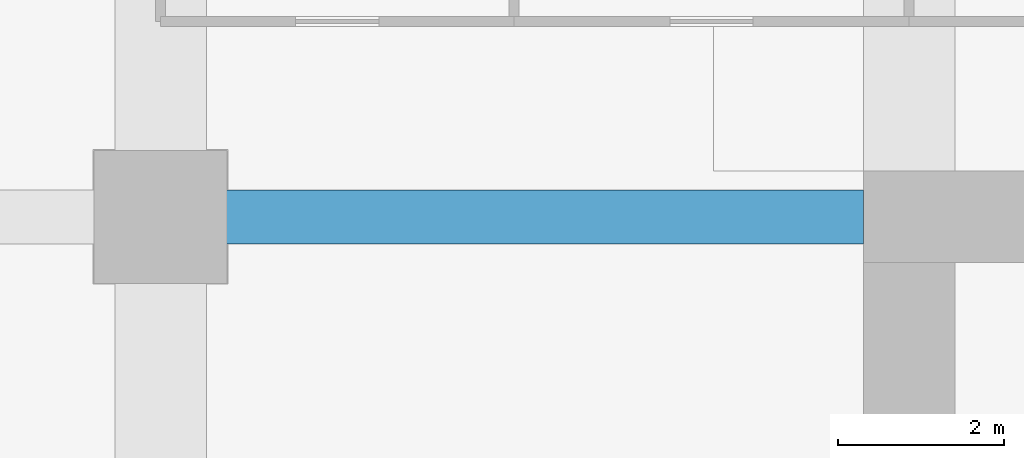
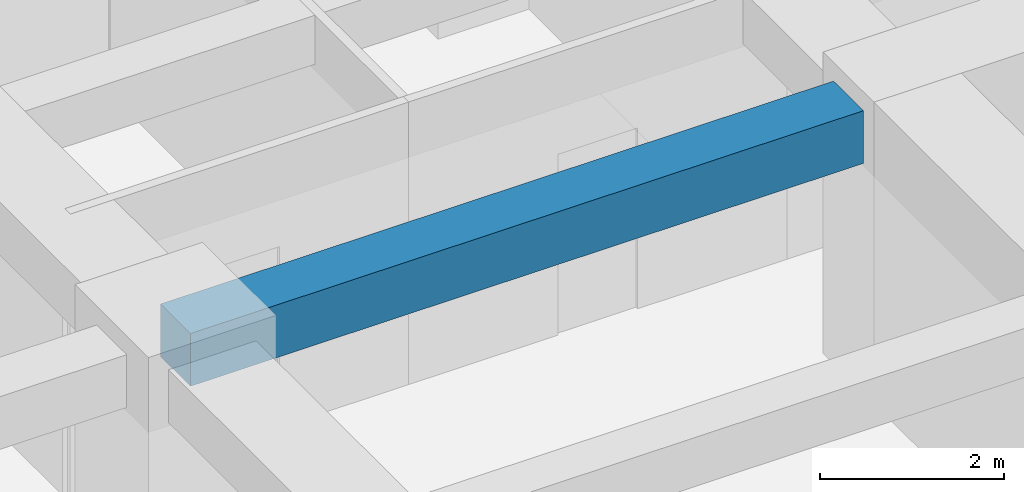
# One storey, part 21 of 34: 1 beam.
"""IFC4 building model written with IfcOpenShell, lengths in metres."""

import ifcopenshell
import ifcopenshell.guid

model = None  # the IFC model being written
_history = None  # IfcOwnerHistory: only IFC2X3 demands one
_inside = {}  # id of a spatial element -> (the spatial element, [elements in it])
_under = {}  # id of a project, library or spatial element -> (it, [spatial elements below it])
_declared = {}  # id of a project -> (the project, [libraries it declares])
_typed = {}  # id of a type object -> (the type object, [elements of that type])
_made_of = {}  # id of a material, layer set ... -> (it, [elements and type objects made of it])


def new_model(schema):
    """Start an empty IFC model of exactly this schema.

    Asked for "IFC4X3", IfcOpenShell would pick the latest addendum, in which some entities
    have other attributes; the version numbers below select the first issue.
    IFC2X3 requires an IfcOwnerHistory on every rooted entity: one is made here for all.
    """
    global model, _history
    if schema == "IFC4X3":
        model = ifcopenshell.file(schema_version=(4, 3, 0, 0))
    else:
        model = ifcopenshell.file(schema=schema)
    _inside.clear()
    _under.clear()
    _declared.clear()
    _typed.clear()
    _made_of.clear()
    _history = None
    if model.schema == "IFC2X3":
        org = make("IfcOrganization", Name="unknown")
        user = make(
            "IfcPersonAndOrganization",
            ThePerson=make("IfcPerson", FamilyName="unknown"),
            TheOrganization=org,
        )
        app = make(
            "IfcApplication",
            ApplicationDeveloper=org,
            Version="unknown",
            ApplicationFullName="unknown",
            ApplicationIdentifier="unknown",
        )
        _history = make(
            "IfcOwnerHistory",
            OwningUser=user,
            OwningApplication=app,
            ChangeAction="ADDED",
            CreationDate=0,
        )
    return model


def make(cls, **values):
    """One entity of the class cls with the attributes given. An attribute that is None is left unset."""
    return model.create_entity(
        cls, **{name: value for name, value in values.items() if value is not None}
    )


def rooted(cls, **values):
    """An entity with a GlobalId (a new one), such as an element, a storey or a relation."""
    return make(cls, GlobalId=ifcopenshell.guid.new(), OwnerHistory=_history, **values)


def si_unit(unit_type, name, prefix=None):
    """IfcSIUnit, for example si_unit("LENGTHUNIT", "METRE", prefix="MILLI")."""
    return make("IfcSIUnit", UnitType=unit_type, Prefix=prefix, Name=name)


def assignment(units):
    """IfcUnitAssignment: the units of a project."""
    return None if units is None else make("IfcUnitAssignment", Units=units)


def point(xyz):
    """IfcCartesianPoint."""
    return None if xyz is None else make("IfcCartesianPoint", Coordinates=xyz)


def direction(xyz):
    """IfcDirection."""
    return None if xyz is None else make("IfcDirection", DirectionRatios=xyz)


def frame(location, z_axis=None, x_axis=None):
    """IfcAxis2Placement3D, a coordinate frame: its origin and axes. An axis left out is left unset."""
    return make(
        "IfcAxis2Placement3D",
        Location=point(location),
        Axis=direction(z_axis),
        RefDirection=direction(x_axis),
    )


def frame_2d(location, x_axis=None):
    """IfcAxis2Placement2D, a coordinate frame in the plane: its origin and x axis."""
    return make(
        "IfcAxis2Placement2D", Location=point(location), RefDirection=direction(x_axis)
    )


def origin():
    """The frame at (0, 0, 0) with its axes left unset."""
    return frame((0.0, 0.0, 0.0))


def origin_2d():
    """The frame at (0, 0) in the plane with its x axis left unset."""
    return frame_2d((0.0, 0.0))


def place(relative_to, where):
    """IfcLocalPlacement: puts the frame where relative to a parent placement (None: the world)."""
    return make(
        "IfcLocalPlacement", PlacementRelTo=relative_to, RelativePlacement=where
    )


def context(
    kind, dimensions, precision=None, world=None, true_north=None, identifier=None
):
    """IfcGeometricRepresentationContext, for example the 3D "Model" context."""
    return make(
        "IfcGeometricRepresentationContext",
        ContextIdentifier=identifier,
        ContextType=kind,
        CoordinateSpaceDimension=dimensions,
        Precision=precision,
        WorldCoordinateSystem=world,
        TrueNorth=true_north,
    )


def subcontext(parent, identifier, kind, view, scale=None):
    """IfcGeometricRepresentationSubContext, for example "Body" below "Model"."""
    return make(
        "IfcGeometricRepresentationSubContext",
        ContextIdentifier=identifier,
        ContextType=kind,
        ParentContext=parent,
        TargetScale=scale,
        TargetView=view,
    )


def project(units=None, contexts=None):
    """IfcProject with its units and contexts."""
    return rooted(
        "IfcProject",
        Name="project",
        RepresentationContexts=contexts,
        UnitsInContext=assignment(units),
    )


def spatial(cls, under=None, at=None, **own):
    """A site, building, storey or space (cls), placed at a placement, below another one or the project."""
    s = rooted(cls, ObjectPlacement=at, **own)
    if under is not None:
        _under.setdefault(under.id(), (under, []))[1].append(s)
    return s


def profile(cls, at=None, kind="AREA", **sizes):
    """A parametric profile (cls). Its sizes go by their IFC names, for example OverallWidth=200.0."""
    return make(cls, ProfileType=kind, Position=at, **sizes)


def rectangle(**sizes):
    """IfcRectangleProfileDef."""
    return profile("IfcRectangleProfileDef", **sizes)


def extrude(swept, where, along, depth):
    """IfcExtrudedAreaSolid: the profile swept, set in the frame where, extruded along a direction by depth."""
    return make(
        "IfcExtrudedAreaSolid",
        SweptArea=swept,
        Position=where,
        ExtrudedDirection=direction(along),
        Depth=depth,
    )


def shape(context_of_items, identifier, shape_type, items):
    """IfcShapeRepresentation: the items that make up one representation, for example the "Body"."""
    return make(
        "IfcShapeRepresentation",
        ContextOfItems=context_of_items,
        RepresentationIdentifier=identifier,
        RepresentationType=shape_type,
        Items=items,
    )


def material(Name=None, Category=None):
    """IfcMaterial."""
    return make("IfcMaterial", Name=Name, Category=Category)


def material_profile(
    of_material, cross_section, Name=None, Category=None, Priority=None
):
    """IfcMaterialProfile: a cross section and its material."""
    return make(
        "IfcMaterialProfile",
        Name=Name,
        Material=of_material,
        Profile=cross_section,
        Priority=Priority,
        Category=Category,
    )


def profile_set(profiles, Name=None, composite=None):
    """IfcMaterialProfileSet."""
    return make(
        "IfcMaterialProfileSet",
        Name=Name,
        MaterialProfiles=profiles,
        CompositeProfile=composite,
    )


def made_of(thing, what):
    """Note that an element or type object is made of a material, layer set ...; save() writes the relation."""
    if what is not None:
        _made_of.setdefault(what.id(), (what, []))[1].append(thing)
    return thing


def type_object(cls, material=None, **own):
    """A type object (cls), such as IfcWallType, which elements share."""
    return made_of(rooted(cls, **own), material)


def element(
    cls,
    number,
    at=None,
    inside=None,
    cuts=None,
    type_object=None,
    material=None,
    context=None,
    identifier="Body",
    shape_type=None,
    held_by="IfcProductDefinitionShape",
    body=None,
    shapes=None,
    **own,
):
    """One element of the class cls, such as IfcWall. Its Tag is "e" and its number.

    at: its placement. inside: the storey or other place that contains it. cuts: it is an
    opening in that element (IfcRelVoidsElement). A single representation is given by context,
    identifier, shape_type and body (its items); several are given by shapes. held_by: the class
    of the entity that holds the representations. save() writes the other relations.
    """
    e = rooted(cls, Tag="e%d" % number, ObjectPlacement=at, **own)
    if body is not None:
        shapes = [shape(context, identifier, shape_type, body)]
    if shapes is not None:
        e.Representation = make(held_by, Representations=shapes)
    if inside is not None:
        _inside.setdefault(inside.id(), (inside, []))[1].append(e)
    if cuts is not None:
        rooted(
            "IfcRelVoidsElement", RelatingBuildingElement=cuts, RelatedOpeningElement=e
        )
    if type_object is not None:
        _typed.setdefault(type_object.id(), (type_object, []))[1].append(e)
    return made_of(e, material)


def aggregate(whole, parts):
    """IfcRelAggregates: a whole, such as a stair, and the parts it consists of."""
    return rooted("IfcRelAggregates", RelatingObject=whole, RelatedObjects=parts)


def save(model, path):
    """Write the relations noted so far, then the file.

    IfcRelAggregates (storeys below a building ...), IfcRelContainedInSpatialStructure (elements
    in a storey), IfcRelDefinesByType, IfcRelAssociatesMaterial and IfcRelDeclares: one each for
    every whole, place, type object, material and project.
    """
    for whole, parts in _under.values():
        aggregate(whole, parts)
    for where, things in _inside.values():
        rooted(
            "IfcRelContainedInSpatialStructure",
            RelatedElements=things,
            RelatingStructure=where,
        )
    for kind, things in _typed.values():
        rooted("IfcRelDefinesByType", RelatedObjects=things, RelatingType=kind)
    for what, things in _made_of.values():
        rooted("IfcRelAssociatesMaterial", RelatedObjects=things, RelatingMaterial=what)
    for by, libraries in _declared.values():
        rooted("IfcRelDeclares", RelatingContext=by, RelatedDefinitions=libraries)
    model.write(path)


model = new_model("IFC4")

# Units and contexts
model_context = context("Model", 3, precision=1e-05, world=origin(), true_north=direction((0.0, 1.0)))
body_context = subcontext(model_context, "Body", "Model", "MODEL_VIEW")
ifc_project = project(units=[si_unit("LENGTHUNIT", "METRE"), si_unit("AREAUNIT", "SQUARE_METRE"), si_unit("VOLUMEUNIT", "CUBIC_METRE"), si_unit("PLANEANGLEUNIT", "RADIAN"), si_unit("MASSUNIT", "GRAM", prefix="KILO")], contexts=[model_context])

# Site, building, storey
site_placement = place(None, origin())
site = spatial("IfcSite", under=ifc_project, at=site_placement, CompositionType="ELEMENT")
building_placement = place(site_placement, origin())
building = spatial("IfcBuilding", under=site, at=building_placement, Name="Zorevar Civic Tower", CompositionType="ELEMENT")
storey_placement = place(building_placement, frame((0.0, 0.0, 170.199951171875)))
storey = spatial("IfcBuildingStorey", under=building, at=storey_placement, Name="L41", CompositionType="ELEMENT", Elevation=170.199951171875)

# Beam
ifc_material = material(Name="Concrete C50/60", Category="concrete")
ifc_material_profile = material_profile(ifc_material, rectangle(XDim=0.64990234375, YDim=0.699951171875, at=origin_2d()), Name="RC 650x700")
ifc_profile_set = profile_set([ifc_material_profile], Name="Concrete C50/60")
beam_type = type_object("IfcBeamType", Name="Beam RC 650x700", PredefinedType="BEAM", material=ifc_profile_set)
beam_placement = place(storey_placement, frame((9.0, 36.0, 3.400146484375), z_axis=(1.0, 0.0, 0.0), x_axis=(0.0, 1.0, 0.0)))
element("IfcBeam", 1, at=beam_placement, inside=storey, type_object=beam_type, Name="Girder L42", PredefinedType="BEAM", context=body_context, shape_type="SweptSolid", body=[
    extrude(rectangle(XDim=0.64990234375, YDim=0.699951171875, at=origin_2d()), origin(), (0.0, 0.0, 1.0), 8.449951171875),
])

save(model, "model.ifc")
